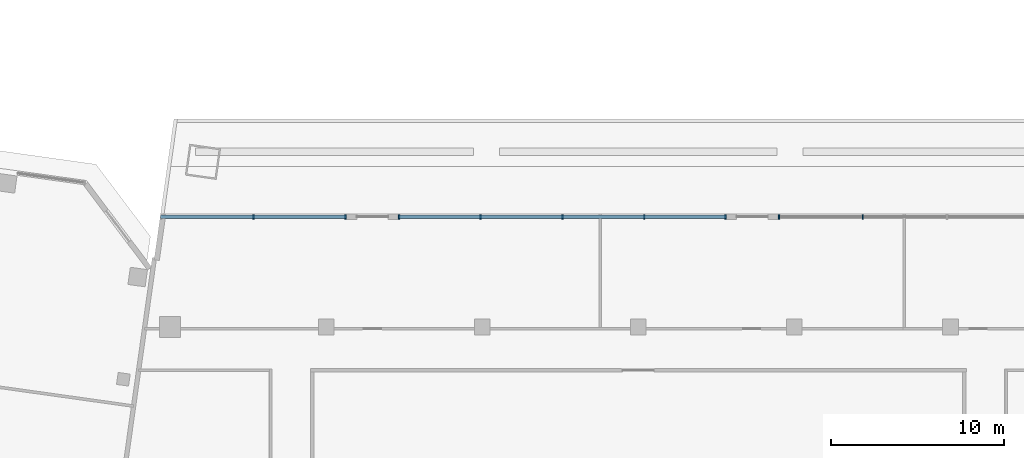
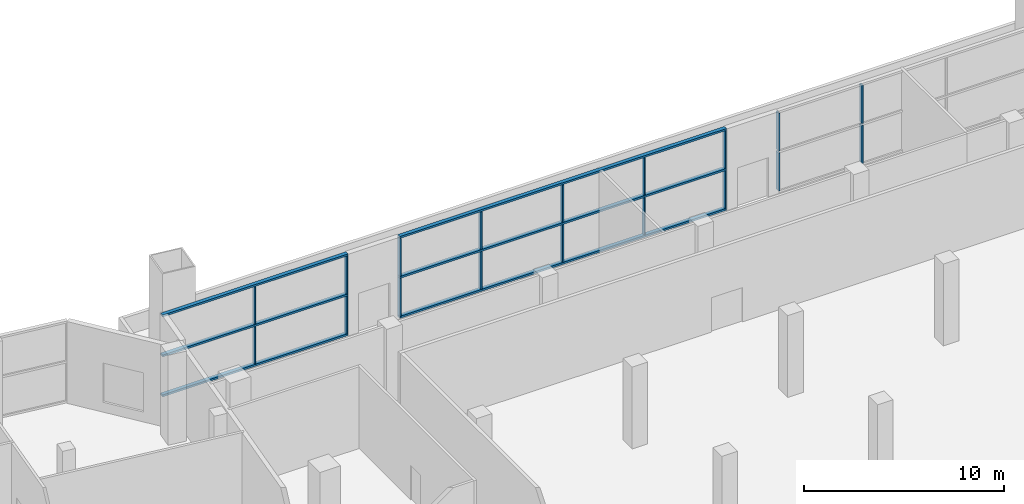
# One storey, part 4 of 23: 24 members, 3 elements without a shape of their own.
"""IFC4 building model written with IfcOpenShell, lengths in metres."""

from ifc_helpers import new_model, si_unit, direction, frame, origin, origin_2d, place, context, subcontext, project, spatial, rectangle, extrude, material, material_profile, profile_set, type_object, element, aggregate, save


model = new_model("IFC4")

# Units and contexts
model_context = context("Model", 3, precision=1e-05, world=origin(), true_north=direction((0.0, 1.0)))
body_context = subcontext(model_context, "Body", "Model", "MODEL_VIEW")
ifc_project = project(units=[si_unit("LENGTHUNIT", "METRE"), si_unit("AREAUNIT", "SQUARE_METRE"), si_unit("VOLUMEUNIT", "CUBIC_METRE"), si_unit("PLANEANGLEUNIT", "RADIAN"), si_unit("MASSUNIT", "GRAM", prefix="KILO")], contexts=[model_context])

# Site, building, storey
site_placement = place(None, origin())
site = spatial("IfcSite", under=ifc_project, at=site_placement, CompositionType="ELEMENT")
building_placement = place(site_placement, origin())
building = spatial("IfcBuilding", under=site, at=building_placement, Name="Mirante Cascada Hotel Towers", CompositionType="ELEMENT")
storey_placement = place(building_placement, frame((0.0, 0.0, 23.5)))
storey = spatial("IfcBuildingStorey", under=building, at=storey_placement, Name="L03", CompositionType="ELEMENT", Elevation=23.5)

# Curtain wall, members
ifc_material_1 = material(Name="Aluminium mullion and transom frame with clear laminated glass", Category="aluminium")
curtain_wall_type = type_object("IfcCurtainWallType", Name="Podium curtain wall ECW3", PredefinedType="NOTDEFINED", material=ifc_material_1)
curtain_wall_1_placement = place(storey_placement, origin())
curtain_wall_1 = element("IfcCurtainWall", 1, at=curtain_wall_1_placement, inside=storey, type_object=curtain_wall_type, Name="Podium curtain wall L03 run 3.1", PredefinedType="NOTDEFINED")
ifc_material_2 = material(Name="Anodised aluminium extrusion", Category="aluminium")
ifc_material_profile_1 = material_profile(ifc_material_2, rectangle(XDim=0.26, YDim=0.08, at=origin_2d()), Name="ECW3 MULLION 80x260")
ifc_profile_set_1 = profile_set([ifc_material_profile_1], Name="Anodised aluminium extrusion")
member_type_1 = type_object("IfcMemberType", Name="ECW3 mullion 80x260", PredefinedType="MULLION", material=ifc_profile_set_1)
member_1_placement = place(storey_placement, frame((12.9376, 15.35, 0.12), z_axis=(0.0, 0.0, 1.0), x_axis=(0.0, -1.0, 0.0)))
member_1 = element("IfcMember", 2, at=member_1_placement, type_object=member_type_1, Name="ECW3 mullion 4", PredefinedType="MULLION", context=body_context, shape_type="SweptSolid", body=[
    extrude(rectangle(XDim=0.26, YDim=0.08, at=origin_2d()), origin(), (0.0, 0.0, 1.0), 2.32),
])
member_2_placement = place(storey_placement, frame((12.9376, 15.35, 2.56), z_axis=(0.0, 0.0, 1.0), x_axis=(0.0, -1.0, 0.0)))
member_2 = element("IfcMember", 3, at=member_2_placement, type_object=member_type_1, Name="ECW3 mullion 4", PredefinedType="MULLION", context=body_context, shape_type="SweptSolid", body=[
    extrude(rectangle(XDim=0.26, YDim=0.08, at=origin_2d()), origin(), (0.0, 0.0, 1.0), 2.32),
])
member_3_placement = place(storey_placement, frame((8.11, 15.35, 0.12), z_axis=(0.0, 0.0, 1.0), x_axis=(0.0, -1.0, 0.0)))
member_3 = element("IfcMember", 4, at=member_3_placement, type_object=member_type_1, Name="ECW3 mullion 5", PredefinedType="MULLION", context=body_context, shape_type="SweptSolid", body=[
    extrude(rectangle(XDim=0.26, YDim=0.08, at=origin_2d()), origin(), (0.0, 0.0, 1.0), 2.32),
])
member_4_placement = place(storey_placement, frame((8.11, 15.35, 2.56), z_axis=(0.0, 0.0, 1.0), x_axis=(0.0, -1.0, 0.0)))
member_4 = element("IfcMember", 5, at=member_4_placement, type_object=member_type_1, Name="ECW3 mullion 5", PredefinedType="MULLION", context=body_context, shape_type="SweptSolid", body=[
    extrude(rectangle(XDim=0.26, YDim=0.08, at=origin_2d()), origin(), (0.0, 0.0, 1.0), 2.32),
])
aggregate(curtain_wall_1, [member_1, member_2, member_3, member_4])

curtain_wall_2_placement = place(storey_placement, origin())
curtain_wall_2 = element("IfcCurtainWall", 6, at=curtain_wall_2_placement, inside=storey, type_object=curtain_wall_type, Name="Podium curtain wall L03 run 3.3", PredefinedType="NOTDEFINED")
member_5_placement = place(storey_placement, frame((5.03, 15.35, 0.12), z_axis=(0.0, 0.0, 1.0), x_axis=(0.0, -1.0, 0.0)))
member_5 = element("IfcMember", 7, at=member_5_placement, type_object=member_type_1, Name="ECW3 mullion 1", PredefinedType="MULLION", context=body_context, shape_type="SweptSolid", body=[
    extrude(rectangle(XDim=0.26, YDim=0.08, at=origin_2d()), origin(), (0.0, 0.0, 1.0), 2.32),
])
member_6_placement = place(storey_placement, frame((5.03, 15.35, 2.56), z_axis=(0.0, 0.0, 1.0), x_axis=(0.0, -1.0, 0.0)))
member_6 = element("IfcMember", 8, at=member_6_placement, type_object=member_type_1, Name="ECW3 mullion 1", PredefinedType="MULLION", context=body_context, shape_type="SweptSolid", body=[
    extrude(rectangle(XDim=0.26, YDim=0.08, at=origin_2d()), origin(), (0.0, 0.0, 1.0), 2.32),
])
member_7_placement = place(storey_placement, frame((0.3453, 15.35, 0.12), z_axis=(0.0, 0.0, 1.0), x_axis=(0.0, -1.0, 0.0)))
member_7 = element("IfcMember", 9, at=member_7_placement, type_object=member_type_1, Name="ECW3 mullion 2", PredefinedType="MULLION", context=body_context, shape_type="SweptSolid", body=[
    extrude(rectangle(XDim=0.26, YDim=0.08, at=origin_2d()), origin(), (0.0, 0.0, 1.0), 2.32),
])
member_8_placement = place(storey_placement, frame((0.3453, 15.35, 2.56), z_axis=(0.0, 0.0, 1.0), x_axis=(0.0, -1.0, 0.0)))
member_8 = element("IfcMember", 10, at=member_8_placement, type_object=member_type_1, Name="ECW3 mullion 2", PredefinedType="MULLION", context=body_context, shape_type="SweptSolid", body=[
    extrude(rectangle(XDim=0.26, YDim=0.08, at=origin_2d()), origin(), (0.0, 0.0, 1.0), 2.32),
])
member_9_placement = place(storey_placement, frame((-4.3795, 15.35, 0.12), z_axis=(0.0, 0.0, 1.0), x_axis=(0.0, -1.0, 0.0)))
member_9 = element("IfcMember", 11, at=member_9_placement, type_object=member_type_1, Name="ECW3 mullion 3", PredefinedType="MULLION", context=body_context, shape_type="SweptSolid", body=[
    extrude(rectangle(XDim=0.26, YDim=0.08, at=origin_2d()), origin(), (0.0, 0.0, 1.0), 2.32),
])
member_10_placement = place(storey_placement, frame((-4.3795, 15.35, 2.56), z_axis=(0.0, 0.0, 1.0), x_axis=(0.0, -1.0, 0.0)))
member_10 = element("IfcMember", 12, at=member_10_placement, type_object=member_type_1, Name="ECW3 mullion 3", PredefinedType="MULLION", context=body_context, shape_type="SweptSolid", body=[
    extrude(rectangle(XDim=0.26, YDim=0.08, at=origin_2d()), origin(), (0.0, 0.0, 1.0), 2.32),
])
member_11_placement = place(storey_placement, frame((-9.1043, 15.35, 0.12), z_axis=(0.0, 0.0, 1.0), x_axis=(0.0, -1.0, 0.0)))
member_11 = element("IfcMember", 13, at=member_11_placement, type_object=member_type_1, Name="ECW3 mullion 4", PredefinedType="MULLION", context=body_context, shape_type="SweptSolid", body=[
    extrude(rectangle(XDim=0.26, YDim=0.08, at=origin_2d()), origin(), (0.0, 0.0, 1.0), 2.32),
])
member_12_placement = place(storey_placement, frame((-9.1043, 15.35, 2.56), z_axis=(0.0, 0.0, 1.0), x_axis=(0.0, -1.0, 0.0)))
member_12 = element("IfcMember", 14, at=member_12_placement, type_object=member_type_1, Name="ECW3 mullion 4", PredefinedType="MULLION", context=body_context, shape_type="SweptSolid", body=[
    extrude(rectangle(XDim=0.26, YDim=0.08, at=origin_2d()), origin(), (0.0, 0.0, 1.0), 2.32),
])
member_13_placement = place(storey_placement, frame((-13.789, 15.35, 0.12), z_axis=(0.0, 0.0, 1.0), x_axis=(0.0, -1.0, 0.0)))
member_13 = element("IfcMember", 15, at=member_13_placement, type_object=member_type_1, Name="ECW3 mullion 5", PredefinedType="MULLION", context=body_context, shape_type="SweptSolid", body=[
    extrude(rectangle(XDim=0.26, YDim=0.08, at=origin_2d()), origin(), (0.0, 0.0, 1.0), 2.32),
])
member_14_placement = place(storey_placement, frame((-13.789, 15.35, 2.56), z_axis=(0.0, 0.0, 1.0), x_axis=(0.0, -1.0, 0.0)))
member_14 = element("IfcMember", 16, at=member_14_placement, type_object=member_type_1, Name="ECW3 mullion 5", PredefinedType="MULLION", context=body_context, shape_type="SweptSolid", body=[
    extrude(rectangle(XDim=0.26, YDim=0.08, at=origin_2d()), origin(), (0.0, 0.0, 1.0), 2.32),
])

curtain_wall_3_placement = place(storey_placement, origin())
curtain_wall_3 = element("IfcCurtainWall", 17, at=curtain_wall_3_placement, inside=storey, type_object=curtain_wall_type, Name="Podium curtain wall L03 run 3.5", PredefinedType="NOTDEFINED")
member_15_placement = place(storey_placement, frame((-16.869, 15.35, 0.12), z_axis=(0.0, 0.0, 1.0), x_axis=(0.0, -1.0, 0.0)))
member_15 = element("IfcMember", 18, at=member_15_placement, type_object=member_type_1, Name="ECW3 mullion 1", PredefinedType="MULLION", context=body_context, shape_type="SweptSolid", body=[
    extrude(rectangle(XDim=0.26, YDim=0.08, at=origin_2d()), origin(), (0.0, 0.0, 1.0), 2.32),
])
member_16_placement = place(storey_placement, frame((-16.869, 15.35, 2.56), z_axis=(0.0, 0.0, 1.0), x_axis=(0.0, -1.0, 0.0)))
member_16 = element("IfcMember", 19, at=member_16_placement, type_object=member_type_1, Name="ECW3 mullion 1", PredefinedType="MULLION", context=body_context, shape_type="SweptSolid", body=[
    extrude(rectangle(XDim=0.26, YDim=0.08, at=origin_2d()), origin(), (0.0, 0.0, 1.0), 2.32),
])
member_17_placement = place(storey_placement, frame((-22.1848, 15.35, 0.12), z_axis=(0.0, 0.0, 1.0), x_axis=(0.0, -1.0, 0.0)))
member_17 = element("IfcMember", 20, at=member_17_placement, type_object=member_type_1, Name="ECW3 mullion 2", PredefinedType="MULLION", context=body_context, shape_type="SweptSolid", body=[
    extrude(rectangle(XDim=0.26, YDim=0.08, at=origin_2d()), origin(), (0.0, 0.0, 1.0), 2.32),
])
member_18_placement = place(storey_placement, frame((-22.1848, 15.35, 2.56), z_axis=(0.0, 0.0, 1.0), x_axis=(0.0, -1.0, 0.0)))
member_18 = element("IfcMember", 21, at=member_18_placement, type_object=member_type_1, Name="ECW3 mullion 2", PredefinedType="MULLION", context=body_context, shape_type="SweptSolid", body=[
    extrude(rectangle(XDim=0.26, YDim=0.08, at=origin_2d()), origin(), (0.0, 0.0, 1.0), 2.32),
])

# Member
ifc_material_3 = material(Name="Anodised aluminium extrusion", Category="aluminium")
ifc_material_profile_2 = material_profile(ifc_material_3, rectangle(XDim=0.22, YDim=0.12, at=origin_2d()), Name="ECW3 TRANSOM 120x220")
ifc_profile_set_2 = profile_set([ifc_material_profile_2], Name="Anodised aluminium extrusion")
member_type_2 = type_object("IfcMemberType", Name="ECW3 transom 120x220", PredefinedType="USERDEFINED", material=ifc_profile_set_2)
member_19_placement = place(storey_placement, frame((5.07, 15.35, 0.06), z_axis=(-1.0, 0.0, 0.0), x_axis=(0.0, -1.0, 0.0)))
member_19 = element("IfcMember", 22, at=member_19_placement, type_object=member_type_2, Name="ECW3 sill transom", ObjectType="TRANSOM", PredefinedType="USERDEFINED", context=body_context, shape_type="SweptSolid", body=[
    extrude(rectangle(XDim=0.22, YDim=0.12, at=origin_2d()), origin(), (0.0, 0.0, 1.0), 18.899),
])

member_20_placement = place(storey_placement, frame((5.07, 15.35, 2.5), z_axis=(-1.0, 0.0, 0.0), x_axis=(0.0, -1.0, 0.0)))
member_20 = element("IfcMember", 23, at=member_20_placement, type_object=member_type_2, Name="ECW3 intermediate transom", ObjectType="TRANSOM", PredefinedType="USERDEFINED", context=body_context, shape_type="SweptSolid", body=[
    extrude(rectangle(XDim=0.22, YDim=0.12, at=origin_2d()), origin(), (0.0, 0.0, 1.0), 18.899),
])

member_21_placement = place(storey_placement, frame((5.07, 15.35, 4.94), z_axis=(-1.0, 0.0, 0.0), x_axis=(0.0, -1.0, 0.0)))
member_21 = element("IfcMember", 24, at=member_21_placement, type_object=member_type_2, Name="ECW3 head transom", ObjectType="TRANSOM", PredefinedType="USERDEFINED", context=body_context, shape_type="SweptSolid", body=[
    extrude(rectangle(XDim=0.22, YDim=0.12, at=origin_2d()), origin(), (0.0, 0.0, 1.0), 18.899),
])

aggregate(curtain_wall_2, [member_19, member_20, member_21, member_5, member_6, member_7, member_8, member_9, member_10, member_11, member_12, member_13, member_14])

member_22_placement = place(storey_placement, frame((-16.829, 15.35, 0.06), z_axis=(-1.0, 0.0, 0.0), x_axis=(0.0, -1.0, 0.0)))
member_22 = element("IfcMember", 25, at=member_22_placement, type_object=member_type_2, Name="ECW3 sill transom", ObjectType="TRANSOM", PredefinedType="USERDEFINED", context=body_context, shape_type="SweptSolid", body=[
    extrude(rectangle(XDim=0.22, YDim=0.12, at=origin_2d()), origin(), (0.0, 0.0, 1.0), 10.7115),
])

member_23_placement = place(storey_placement, frame((-16.829, 15.35, 2.5), z_axis=(-1.0, 0.0, 0.0), x_axis=(0.0, -1.0, 0.0)))
member_23 = element("IfcMember", 26, at=member_23_placement, type_object=member_type_2, Name="ECW3 intermediate transom", ObjectType="TRANSOM", PredefinedType="USERDEFINED", context=body_context, shape_type="SweptSolid", body=[
    extrude(rectangle(XDim=0.22, YDim=0.12, at=origin_2d()), origin(), (0.0, 0.0, 1.0), 10.7115),
])

member_24_placement = place(storey_placement, frame((-16.829, 15.35, 4.94), z_axis=(-1.0, 0.0, 0.0), x_axis=(0.0, -1.0, 0.0)))
member_24 = element("IfcMember", 27, at=member_24_placement, type_object=member_type_2, Name="ECW3 head transom", ObjectType="TRANSOM", PredefinedType="USERDEFINED", context=body_context, shape_type="SweptSolid", body=[
    extrude(rectangle(XDim=0.22, YDim=0.12, at=origin_2d()), origin(), (0.0, 0.0, 1.0), 10.7115),
])

aggregate(curtain_wall_3, [member_22, member_23, member_24, member_15, member_16, member_17, member_18])

save(model, "model.ifc")
